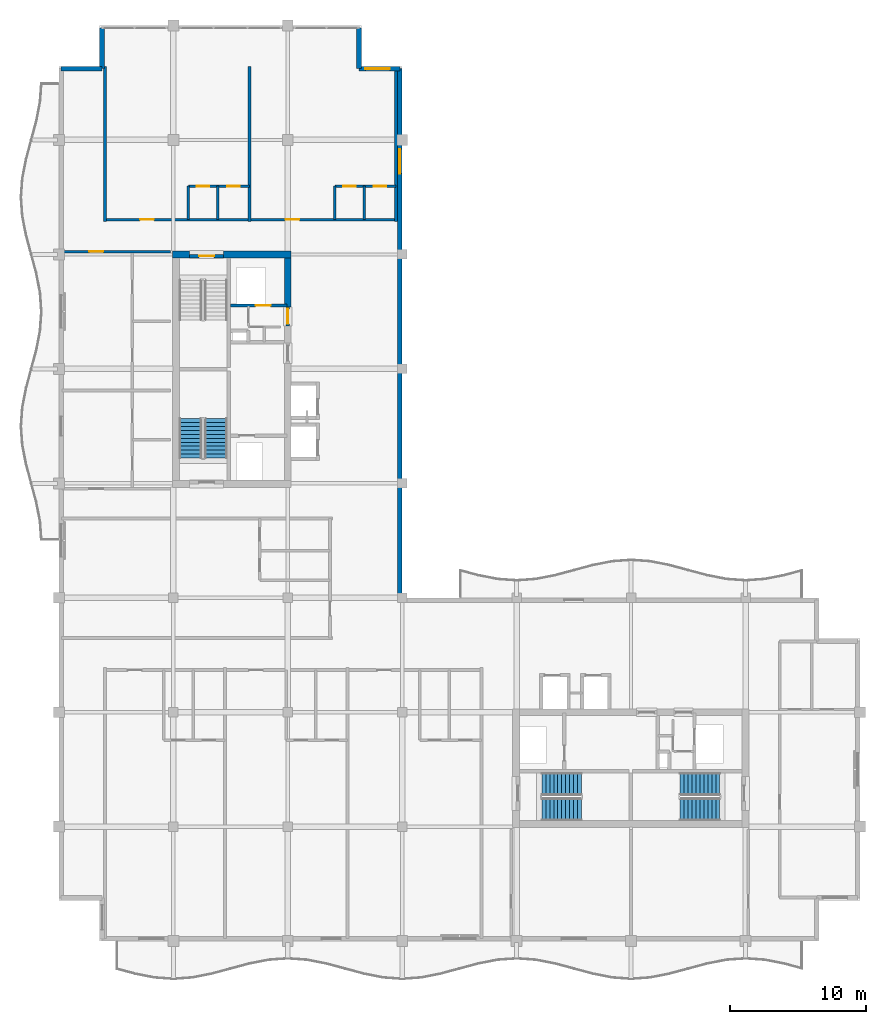
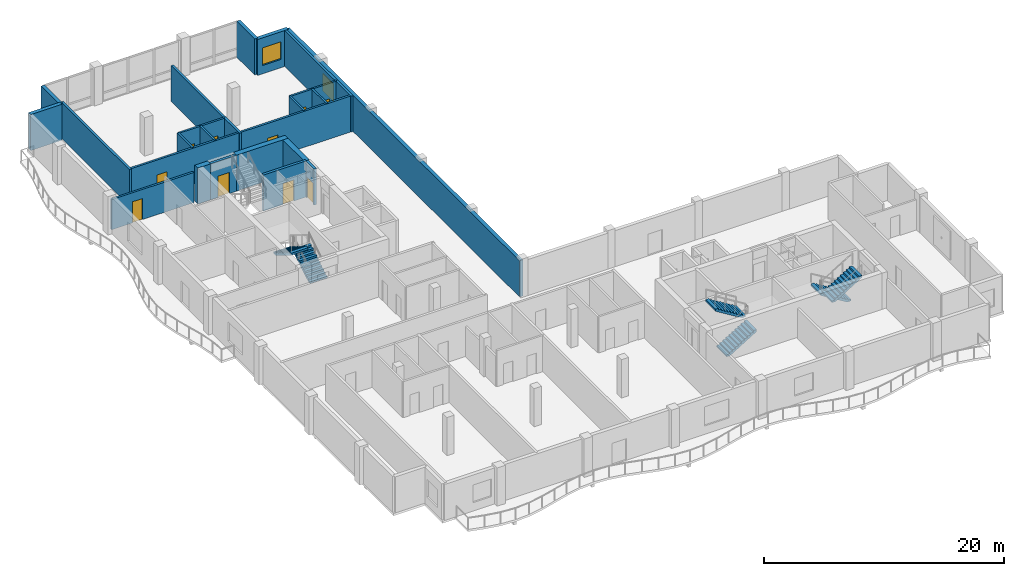
# One storey, part 9 of 15: 22 walls, 10 doors, 6 stair flights, 2 windows, 12 openings, 3 elements without a shape of their own.
"""IFC4 building model written with IfcOpenShell, lengths in metres."""

from ifc_helpers import new_model, si_unit, direction, frame, frame_2d, origin, place, context, subcontext, project, spatial, polyline, rectangle, outline, extrude, material, layer, layer_set, type_object, element, fill, aggregate, save


model = new_model("IFC4")

# Units and contexts
model_context = context("Model", 3, precision=1e-05, world=origin(), true_north=direction((0.0, 1.0)))
body_context = subcontext(model_context, "Body", "Model", "MODEL_VIEW")
ifc_project = project(units=[si_unit("LENGTHUNIT", "METRE"), si_unit("AREAUNIT", "SQUARE_METRE"), si_unit("VOLUMEUNIT", "CUBIC_METRE"), si_unit("PLANEANGLEUNIT", "RADIAN"), si_unit("MASSUNIT", "GRAM", prefix="KILO")], contexts=[model_context])

# Site, building, storey
site_placement = place(None, origin())
site = spatial("IfcSite", under=ifc_project, at=site_placement, CompositionType="ELEMENT")
building_placement = place(site_placement, origin())
building = spatial("IfcBuilding", under=site, at=building_placement, Name="Koriwani Terraces Tower", CompositionType="ELEMENT")
storey_placement = place(building_placement, frame((0.0, 0.0, 300.800048828125)))
storey = spatial("IfcBuildingStorey", under=building, at=storey_placement, Name="L74", CompositionType="ELEMENT", Elevation=300.800048828125)

# Walls
ifc_material_1 = material(Name="Concrete C50/60", Category="concrete")
ifc_layer_1 = layer(ifc_material_1, 0.5, Name="Concrete C50/60")
ifc_layer_set_1 = layer_set([ifc_layer_1], Name="Concrete C50/60")
wall_type_1 = type_object("IfcWallType", Name="WALL_CORE_RC_500", PredefinedType="SHEAR", material=ifc_layer_set_1)
wall_1_placement = place(storey_placement, frame((16.75, 58.800048828125, 0.0), z_axis=(0.0, 0.0, 1.0), x_axis=(1.0, 0.0, 0.0)))
element("IfcWall", 1, at=wall_1_placement, inside=storey, type_object=wall_type_1, Name="L74 West Split Core Shear Wall N1", PredefinedType="SHEAR", context=body_context, shape_type="SweptSolid", body=[
    extrude(rectangle(XDim=1.25, YDim=0.5, at=frame_2d((0.625, 0.0))), origin(), (0.0, 0.0, 1.0), 3.669921875),
])
wall_2_placement = place(storey_placement, frame((20.5, 58.800048828125, 0.0), z_axis=(0.0, 0.0, 1.0), x_axis=(1.0, 0.0, 0.0)))
element("IfcWall", 2, at=wall_2_placement, inside=storey, type_object=wall_type_1, Name="L74 West Split Core Shear Wall N2", PredefinedType="SHEAR", context=body_context, shape_type="SweptSolid", body=[
    extrude(rectangle(XDim=4.949951171875, YDim=0.5, at=frame_2d((2.47509765625, 0.0))), origin(), (0.0, 0.0, 1.0), 3.669921875),
])
wall_3_placement = place(storey_placement, frame((25.199951171875, 54.949951171875, 0.0), z_axis=(0.0, 0.0, 1.0), x_axis=(0.0, 1.0, 0.0)))
element("IfcWall", 3, at=wall_3_placement, inside=storey, type_object=wall_type_1, Name="L74 West Split Core Shear Wall E3", PredefinedType="SHEAR", context=body_context, shape_type="SweptSolid", body=[
    extrude(rectangle(XDim=3.60009765625, YDim=0.5, at=frame_2d((1.800048828125, 0.0))), origin(), (0.0, 0.0, 1.0), 3.669921875),
])

# Wall, opening, door
ifc_material_2 = material(Name="Autoclaved Cellular Concrete Blockwork", Category="masonry")
ifc_layer_2 = layer(ifc_material_2, 0.199951171875, Name="Autoclaved Cellular Concrete Blockwork")
ifc_layer_set_2 = layer_set([ifc_layer_2], Name="Autoclaved Cellular Concrete Blockwork")
wall_type_2 = type_object("IfcWallType", Name="WALL_CORRIDOR_200", PredefinedType="PARTITIONING", material=ifc_layer_set_2)
wall_4_placement = place(storey_placement, frame((8.64990234375, 59.0, 0.0), z_axis=(0.0, 0.0, 1.0), x_axis=(1.0, 0.0, 0.0)))
wall_4 = element("IfcWall", 4, at=wall_4_placement, inside=storey, type_object=wall_type_2, Name="L74 Interior Wall WRZ4-WN-L74", PredefinedType="PARTITIONING", context=body_context, shape_type="SweptSolid", body=[
    extrude(rectangle(XDim=7.9501953125, YDim=0.199951171875, at=frame_2d((3.97509765625, 0.0))), origin(), (0.0, 0.0, 1.0), 3.070068359375),
])
opening_1_placement = place(wall_4_placement, frame((2.0, 0.0, 0.0)))
opening_1 = element("IfcOpeningElement", 5, at=opening_1_placement, cuts=wall_4, Name="Opening D-05", PredefinedType="OPENING", context=body_context, shape_type="SweptSolid", body=[
    extrude(rectangle(XDim=1.0, YDim=2.14990234375, at=frame_2d((0.5, 1.074951171875))), frame((0.0, 0.10986328125, 0.0), z_axis=(0.0, -1.0, 0.0), x_axis=(1.0, 0.0, 0.0)), (0.0, 0.0, 1.0), 0.219970703125),
])
ifc_material_3 = material(Name="Architectural Oak Fire Door", Category="wood")
door_type_1 = type_object("IfcDoorType", Name="DOOR_SUITE_ENTRY_1000X2150", OperationType="NOTDEFINED", PredefinedType="DOOR", material=ifc_material_3)
door_1_placement = place(opening_1_placement, origin())
door_1 = element("IfcDoor", 6, at=door_1_placement, inside=storey, type_object=door_type_1, Name="Apartment 74RW2 Entrance Door", OperationType="SINGLE_SWING_LEFT", OverallHeight=2.14990234375, OverallWidth=1.0, PredefinedType="DOOR", context=body_context, shape_type="SweptSolid", body=[
    extrude(rectangle(XDim=1.0, YDim=2.14990234375, at=frame_2d((0.5, 1.074951171875))), frame((0.0, 0.02490234375, 0.0), z_axis=(0.0, -1.0, 0.0), x_axis=(1.0, 0.0, 0.0)), (0.0, 0.0, 1.0), 0.050048828125),
])
fill(opening_1, door_1)

# Wall, openings, doors
wall_5_placement = place(storey_placement, frame((11.800048828125, 61.35009765625, 0.0), z_axis=(0.0, 0.0, 1.0), x_axis=(1.0, 0.0, 0.0)))
wall_5 = element("IfcWall", 7, at=wall_5_placement, inside=storey, type_object=wall_type_2, Name="L74 Interior Wall WRCOR-L74-NTS-0", PredefinedType="PARTITIONING", context=body_context, shape_type="SweptSolid", body=[
    extrude(rectangle(XDim=21.349853515625, YDim=0.199951171875, at=frame_2d((10.6748046875, 0.0))), origin(), (0.0, 0.0, 1.0), 3.669921875),
])
opening_2_placement = place(wall_5_placement, frame((2.570068359375, 0.0, 0.0)))
opening_2 = element("IfcOpeningElement", 8, at=opening_2_placement, cuts=wall_5, Name="Opening D-05", PredefinedType="OPENING", context=body_context, shape_type="SweptSolid", body=[
    extrude(rectangle(XDim=1.0, YDim=2.14990234375, at=frame_2d((0.5, 1.074951171875))), frame((0.0, 0.10986328125, 0.0), z_axis=(0.0, -1.0, 0.0), x_axis=(1.0, 0.0, 0.0)), (0.0, 0.0, 1.0), 0.219970703125),
])
opening_3_placement = place(wall_5_placement, frame((13.2451171875, 0.0, 0.0)))
opening_3 = element("IfcOpeningElement", 9, at=opening_3_placement, cuts=wall_5, Name="Opening D-05", PredefinedType="OPENING", context=body_context, shape_type="SweptSolid", body=[
    extrude(rectangle(XDim=1.0, YDim=2.14990234375, at=frame_2d((0.5, 1.074951171875))), frame((0.0, 0.10986328125, 0.0), z_axis=(0.0, -1.0, 0.0), x_axis=(1.0, 0.0, 0.0)), (0.0, 0.0, 1.0), 0.219970703125),
])
door_2_placement = place(opening_2_placement, origin())
door_2 = element("IfcDoor", 10, at=door_2_placement, inside=storey, type_object=door_type_1, Name="Apartment 74NTS1 Entrance Door", OperationType="SINGLE_SWING_RIGHT", OverallHeight=2.14990234375, OverallWidth=1.0, PredefinedType="DOOR", context=body_context, shape_type="SweptSolid", body=[
    extrude(rectangle(XDim=1.0, YDim=2.14990234375, at=frame_2d((0.5, 1.074951171875))), frame((0.0, 0.02490234375, 0.0), z_axis=(0.0, -1.0, 0.0), x_axis=(1.0, 0.0, 0.0)), (0.0, 0.0, 1.0), 0.050048828125),
])
fill(opening_2, door_2)
door_3_placement = place(opening_3_placement, origin())
door_3 = element("IfcDoor", 11, at=door_3_placement, inside=storey, type_object=door_type_1, Name="Apartment 74NTS2 Entrance Door", OperationType="SINGLE_SWING_LEFT", OverallHeight=2.14990234375, OverallWidth=1.0, PredefinedType="DOOR", context=body_context, shape_type="SweptSolid", body=[
    extrude(rectangle(XDim=1.0, YDim=2.14990234375, at=frame_2d((0.5, 1.074951171875))), frame((0.0, 0.02490234375, 0.0), z_axis=(0.0, -1.0, 0.0), x_axis=(1.0, 0.0, 0.0)), (0.0, 0.0, 1.0), 0.050048828125),
])
fill(opening_3, door_3)

# Walls
ifc_layer_3 = layer(ifc_material_2, 0.219970703125, Name="Autoclaved Cellular Concrete Blockwork")
ifc_layer_set_3 = layer_set([ifc_layer_3], Name="Autoclaved Cellular Concrete Blockwork")
wall_type_3 = type_object("IfcWallType", Name="WALL_DEMISING_220", PredefinedType="PARTITIONING", material=ifc_layer_set_3)
for number, where, z_axis, x_axis, name in (
    (12, (11.800048828125, 61.199951171875, 0.0), (0.0, 0.0, 1.0), (0.0, 1.0, 0.0), "L74 Interior Wall WRDEM-L74-NTS-0"),
    (13, (22.39990234375, 61.199951171875, 0.0), (0.0, 0.0, 1.0), (0.0, 1.0, 0.0), "L74 Interior Wall WRDEM-L74-NTS-1"),
    (14, (33.14990234375, 61.199951171875, 0.0), (0.0, 0.0, 1.0), (0.0, 1.0, 0.0), "L74 Interior Wall WRDEME-L74-NTS"),
):
    element("IfcWall", number, at=place(storey_placement, frame(where, z_axis=z_axis, x_axis=x_axis)), inside=storey, type_object=wall_type_3, Name=name, PredefinedType="PARTITIONING", context=body_context, shape_type="SweptSolid", body=[
        extrude(rectangle(XDim=11.380126953125, YDim=0.219970703125, at=frame_2d((5.68994140625, 0.0))), origin(), (0.0, 0.0, 1.0), 3.669921875),
    ])
ifc_layer_4 = layer(ifc_material_1, 0.35009765625, Name="Concrete C50/60")
ifc_layer_set_4 = layer_set([ifc_layer_4], Name="Concrete C50/60")
wall_type_4 = type_object("IfcWallType", Name="WALL_EXT_BRUTALIST_350", PredefinedType="STANDARD", material=ifc_layer_set_4)
for number, where, z_axis, x_axis, name in (
    (15, (8.574951171875, 72.425048828125, 0.0), (0.0, 0.0, 1.0), (1.0, 0.0, 0.0), "L74 Fair-Faced Brutalist Exterior Wall (N3)"),
    (16, (11.574951171875, 72.425048828125, 0.0), (0.0, 0.0, 1.0), (0.0, 1.0, 0.0), "L74 Fair-Faced Brutalist Exterior Wall (N4)"),
    (17, (30.425048828125, 75.425048828125, 0.0), (0.0, 0.0, 1.0), (0.0, -1.0, 0.0), "L74 Fair-Faced Brutalist Exterior Wall (N6)"),
):
    element("IfcWall", number, at=place(storey_placement, frame(where, z_axis=z_axis, x_axis=x_axis)), inside=storey, type_object=wall_type_4, Name=name, PredefinedType="STANDARD", context=body_context, shape_type="SweptSolid", body=[
        extrude(rectangle(XDim=3.0, YDim=0.35009765625, at=frame_2d((1.5, 0.0))), origin(), (0.0, 0.0, 1.0), 3.669921875),
    ])

# Wall, opening, window
wall_6_placement = place(storey_placement, frame((30.425048828125, 72.425048828125, 0.0), z_axis=(0.0, 0.0, 1.0), x_axis=(1.0, 0.0, 0.0)))
wall_6 = element("IfcWall", 18, at=wall_6_placement, inside=storey, type_object=wall_type_4, Name="L74 Fair-Faced Brutalist Exterior Wall (N7)", PredefinedType="STANDARD", context=body_context, shape_type="SweptSolid", body=[
    extrude(rectangle(XDim=3.0, YDim=0.35009765625, at=frame_2d((1.5, 0.0))), origin(), (0.0, 0.0, 1.0), 3.669921875),
])
opening_4_placement = place(wall_6_placement, frame((0.472412109375, 0.0, 0.85009765625)))
opening_4 = element("IfcOpeningElement", 19, at=opening_4_placement, cuts=wall_6, Name="Opening W-04", PredefinedType="OPENING", context=body_context, shape_type="SweptSolid", body=[
    extrude(rectangle(XDim=1.800048828125, YDim=1.800048828125, at=frame_2d((0.89990234375, 0.89990234375))), frame((0.0, 0.18505859375, 0.0), z_axis=(0.0, -1.0, 0.0), x_axis=(1.0, 0.0, 0.0)), (0.0, 0.0, 1.0), 0.3701171875),
])
ifc_material_4 = material(Name="Tempered Laminated Low-E Glass", Category="glass")
window_type = type_object("IfcWindowType", Name="WIN_RES_BED_1800X1800", PartitioningType="DOUBLE_PANEL_VERTICAL", PredefinedType="WINDOW", material=ifc_material_4)
window_1_placement = place(opening_4_placement, origin())
window_1 = element("IfcWindow", 20, at=window_1_placement, inside=storey, type_object=window_type, Name="L74 Exterior Window (N7-R47)", OverallHeight=1.800048828125, OverallWidth=1.800048828125, PartitioningType="SINGLE_PANEL", PredefinedType="WINDOW", context=body_context, shape_type="SweptSolid", body=[
    extrude(rectangle(XDim=1.800048828125, YDim=1.800048828125, at=frame_2d((0.89990234375, 0.89990234375))), frame((0.0, 0.030029296875, 0.0), z_axis=(0.0, -1.0, 0.0), x_axis=(1.0, 0.0, 0.0)), (0.0, 0.0, 1.0), 0.06005859375),
])
fill(opening_4, window_1)

wall_7_placement = place(storey_placement, frame((33.425048828125, 72.425048828125, 0.0), z_axis=(0.0, 0.0, 1.0), x_axis=(0.0, -1.0, 0.0)))
wall_7 = element("IfcWall", 21, at=wall_7_placement, inside=storey, type_object=wall_type_4, Name="L74 Fair-Faced Brutalist Exterior Wall (NW_IN)", PredefinedType="STANDARD", context=body_context, shape_type="SweptSolid", body=[
    extrude(rectangle(XDim=39.0, YDim=0.35009765625, at=frame_2d((19.5, 0.0))), origin(), (0.0, 0.0, 1.0), 3.669921875),
])
opening_5_placement = place(wall_7_placement, frame((5.89990234375, 0.0, 0.85009765625)))
opening_5 = element("IfcOpeningElement", 22, at=opening_5_placement, cuts=wall_7, Name="Opening W-04", PredefinedType="OPENING", context=body_context, shape_type="SweptSolid", body=[
    extrude(rectangle(XDim=1.800048828125, YDim=1.800048828125, at=frame_2d((0.89990234375, 0.89990234375))), frame((0.0, 0.18505859375, 0.0), z_axis=(0.0, -1.0, 0.0), x_axis=(1.0, 0.0, 0.0)), (0.0, 0.0, 1.0), 0.3701171875),
])
window_2_placement = place(opening_5_placement, origin())
window_2 = element("IfcWindow", 23, at=window_2_placement, inside=storey, type_object=window_type, Name="L74 Exterior Window (NW_IN-R47)", OverallHeight=1.800048828125, OverallWidth=1.800048828125, PartitioningType="SINGLE_PANEL", PredefinedType="WINDOW", context=body_context, shape_type="SweptSolid", body=[
    extrude(rectangle(XDim=1.800048828125, YDim=1.800048828125, at=frame_2d((0.89990234375, 0.89990234375))), frame((0.0, 0.030029296875, 0.0), z_axis=(0.0, -1.0, 0.0), x_axis=(1.0, 0.0, 0.0)), (0.0, 0.0, 1.0), 0.06005859375),
])
fill(opening_5, window_2)

# Wall, openings, doors
ifc_material_5 = material(Name="Fire-Rated Acoustic Gypsum Partition", Category="masonry")
ifc_layer_5 = layer(ifc_material_5, 0.179931640625, Name="Fire-Rated Acoustic Gypsum Partition")
ifc_layer_set_5 = layer_set([ifc_layer_5], Name="Fire-Rated Acoustic Gypsum Partition")
wall_type_5 = type_object("IfcWallType", Name="WALL_PLUMBING_180", PredefinedType="PLUMBINGWALL", material=ifc_layer_set_5)
wall_8_placement = place(storey_placement, frame((17.89990234375, 63.800048828125, 0.0), z_axis=(0.0, 0.0, 1.0), x_axis=(1.0, 0.0, 0.0)))
wall_8 = element("IfcWall", 24, at=wall_8_placement, inside=storey, type_object=wall_type_5, Name="L74 Interior Wall WRSVC-L74-NTS-0", PredefinedType="PLUMBINGWALL", context=body_context, shape_type="SweptSolid", body=[
    extrude(rectangle(XDim=4.5, YDim=0.179931640625, at=frame_2d((2.25, 0.0))), origin(), (0.0, 0.0, 1.0), 3.669921875),
])
opening_6_placement = place(wall_8_placement, frame((0.6298828125, 0.0, 0.0)))
opening_6 = element("IfcOpeningElement", 25, at=opening_6_placement, cuts=wall_8, Name="Opening D-07", PredefinedType="OPENING", context=body_context, shape_type="SweptSolid", body=[
    extrude(rectangle(XDim=0.89990234375, YDim=2.10009765625, at=frame_2d((0.449951171875, 1.050048828125))), frame((0.0, 0.10009765625, 0.0), z_axis=(0.0, -1.0, 0.0), x_axis=(1.0, 0.0, 0.0)), (0.0, 0.0, 1.0), 0.199951171875),
])
opening_7_placement = place(wall_8_placement, frame((2.8701171875, 0.0, 0.0)))
opening_7 = element("IfcOpeningElement", 26, at=opening_7_placement, cuts=wall_8, Name="Opening D-06", PredefinedType="OPENING", context=body_context, shape_type="SweptSolid", body=[
    extrude(rectangle(XDim=0.919921875, YDim=2.10009765625, at=frame_2d((0.4599609375, 1.050048828125))), frame((0.0, 0.10009765625, 0.0), z_axis=(0.0, -1.0, 0.0), x_axis=(1.0, 0.0, 0.0)), (0.0, 0.0, 1.0), 0.199951171875),
])
door_type_2 = type_object("IfcDoorType", Name="DOOR_BATH_INT_900X2100", OperationType="NOTDEFINED", PredefinedType="DOOR", material=ifc_material_3)
door_4_placement = place(opening_6_placement, origin())
door_4 = element("IfcDoor", 27, at=door_4_placement, inside=storey, type_object=door_type_2, Name="Apartment 74NTS1 Bathroom Door", OperationType="SINGLE_SWING_LEFT", OverallHeight=2.10009765625, OverallWidth=0.89990234375, PredefinedType="DOOR", context=body_context, shape_type="SweptSolid", body=[
    extrude(rectangle(XDim=0.89990234375, YDim=2.10009765625, at=frame_2d((0.449951171875, 1.050048828125))), frame((0.0, 0.02490234375, 0.0), z_axis=(0.0, -1.0, 0.0), x_axis=(1.0, 0.0, 0.0)), (0.0, 0.0, 1.0), 0.050048828125),
])
fill(opening_6, door_4)
door_type_3 = type_object("IfcDoorType", Name="DOOR_ROOM_INT_920X2100", OperationType="NOTDEFINED", PredefinedType="DOOR", material=ifc_material_3)
door_5_placement = place(opening_7_placement, origin())
door_5 = element("IfcDoor", 28, at=door_5_placement, inside=storey, type_object=door_type_3, Name="Apartment 74NTS1 Kitchen Door", OperationType="SINGLE_SWING_RIGHT", OverallHeight=2.10009765625, OverallWidth=0.919921875, PredefinedType="DOOR", context=body_context, shape_type="SweptSolid", body=[
    extrude(rectangle(XDim=0.919921875, YDim=2.10009765625, at=frame_2d((0.4599609375, 1.050048828125))), frame((0.0, 0.02490234375, 0.0), z_axis=(0.0, -1.0, 0.0), x_axis=(1.0, 0.0, 0.0)), (0.0, 0.0, 1.0), 0.050048828125),
])
fill(opening_7, door_5)

# Walls
for number, where, z_axis, x_axis, name in (
    (29, (17.89990234375, 61.35009765625, 0.0), (0.0, 0.0, 1.0), (0.0, 1.0, 0.0), "L74 Interior Wall WRSVCS-L74-NTS-0"),
    (30, (20.06005859375, 61.35009765625, 0.0), (0.0, 0.0, 1.0), (0.0, 1.0, 0.0), "L74 Interior Wall WRSVCM-L74-NTS-0"),
):
    element("IfcWall", number, at=place(storey_placement, frame(where, z_axis=z_axis, x_axis=x_axis)), inside=storey, type_object=wall_type_5, Name=name, PredefinedType="PLUMBINGWALL", context=body_context, shape_type="SweptSolid", body=[
        extrude(rectangle(XDim=2.449951171875, YDim=0.179931640625, at=frame_2d((1.22509765625, 0.0))), origin(), (0.0, 0.0, 1.0), 3.669921875),
    ])

# Wall, openings, doors
wall_9_placement = place(storey_placement, frame((28.64990234375, 63.800048828125, 0.0), z_axis=(0.0, 0.0, 1.0), x_axis=(1.0, 0.0, 0.0)))
wall_9 = element("IfcWall", 31, at=wall_9_placement, inside=storey, type_object=wall_type_5, Name="L74 Interior Wall WRSVC-L74-NTS-1", PredefinedType="PLUMBINGWALL", context=body_context, shape_type="SweptSolid", body=[
    extrude(rectangle(XDim=4.5, YDim=0.179931640625, at=frame_2d((2.25, 0.0))), origin(), (0.0, 0.0, 1.0), 3.669921875),
])
opening_8_placement = place(wall_9_placement, frame((0.6298828125, 0.0, 0.0)))
opening_8 = element("IfcOpeningElement", 32, at=opening_8_placement, cuts=wall_9, Name="Opening D-07", PredefinedType="OPENING", context=body_context, shape_type="SweptSolid", body=[
    extrude(rectangle(XDim=0.89990234375, YDim=2.10009765625, at=frame_2d((0.449951171875, 1.050048828125))), frame((0.0, 0.10009765625, 0.0), z_axis=(0.0, -1.0, 0.0), x_axis=(1.0, 0.0, 0.0)), (0.0, 0.0, 1.0), 0.199951171875),
])
opening_9_placement = place(wall_9_placement, frame((2.8701171875, 0.0, 0.0)))
opening_9 = element("IfcOpeningElement", 33, at=opening_9_placement, cuts=wall_9, Name="Opening D-06", PredefinedType="OPENING", context=body_context, shape_type="SweptSolid", body=[
    extrude(rectangle(XDim=0.919921875, YDim=2.10009765625, at=frame_2d((0.4599609375, 1.050048828125))), frame((0.0, 0.10009765625, 0.0), z_axis=(0.0, -1.0, 0.0), x_axis=(1.0, 0.0, 0.0)), (0.0, 0.0, 1.0), 0.199951171875),
])
door_6_placement = place(opening_8_placement, origin())
door_6 = element("IfcDoor", 34, at=door_6_placement, inside=storey, type_object=door_type_2, Name="Apartment 74NTS2 Bathroom Door", OperationType="SINGLE_SWING_RIGHT", OverallHeight=2.10009765625, OverallWidth=0.89990234375, PredefinedType="DOOR", context=body_context, shape_type="SweptSolid", body=[
    extrude(rectangle(XDim=0.89990234375, YDim=2.10009765625, at=frame_2d((0.449951171875, 1.050048828125))), frame((0.0, 0.02490234375, 0.0), z_axis=(0.0, -1.0, 0.0), x_axis=(1.0, 0.0, 0.0)), (0.0, 0.0, 1.0), 0.050048828125),
])
fill(opening_8, door_6)
door_7_placement = place(opening_9_placement, origin())
door_7 = element("IfcDoor", 35, at=door_7_placement, inside=storey, type_object=door_type_3, Name="Apartment 74NTS2 Kitchen Door", OperationType="SINGLE_SWING_LEFT", OverallHeight=2.10009765625, OverallWidth=0.919921875, PredefinedType="DOOR", context=body_context, shape_type="SweptSolid", body=[
    extrude(rectangle(XDim=0.919921875, YDim=2.10009765625, at=frame_2d((0.4599609375, 1.050048828125))), frame((0.0, 0.02490234375, 0.0), z_axis=(0.0, -1.0, 0.0), x_axis=(1.0, 0.0, 0.0)), (0.0, 0.0, 1.0), 0.050048828125),
])
fill(opening_9, door_7)

# Walls
for number, where, z_axis, x_axis, name in (
    (36, (28.64990234375, 61.35009765625, 0.0), (0.0, 0.0, 1.0), (0.0, 1.0, 0.0), "L74 Interior Wall WRSVCS-L74-NTS-1"),
    (37, (30.81005859375, 61.35009765625, 0.0), (0.0, 0.0, 1.0), (0.0, 1.0, 0.0), "L74 Interior Wall WRSVCM-L74-NTS-1"),
):
    element("IfcWall", number, at=place(storey_placement, frame(where, z_axis=z_axis, x_axis=x_axis)), inside=storey, type_object=wall_type_5, Name=name, PredefinedType="PLUMBINGWALL", context=body_context, shape_type="SweptSolid", body=[
        extrude(rectangle(XDim=2.449951171875, YDim=0.179931640625, at=frame_2d((1.22509765625, 0.0))), origin(), (0.0, 0.0, 1.0), 3.669921875),
    ])

# Wall, opening, door
ifc_material_6 = material(Name="Concrete C40/50", Category="concrete")
ifc_layer_6 = layer(ifc_material_6, 0.25, Name="Concrete C40/50")
ifc_layer_set_6 = layer_set([ifc_layer_6], Name="Concrete C40/50")
wall_type_6 = type_object("IfcWallType", Name="WALL_SHAFT_RATED_250", PredefinedType="SOLIDWALL", material=ifc_layer_set_6)
wall_10_placement = place(storey_placement, frame((18.0, 58.675048828125, 0.0), z_axis=(0.0, 0.0, 1.0), x_axis=(1.0, 0.0, 0.0)))
wall_10 = element("IfcWall", 38, at=wall_10_placement, inside=storey, type_object=wall_type_6, Name="L74 Interior Wall WIN-CW-L74-STN", PredefinedType="SOLIDWALL", context=body_context, shape_type="SweptSolid", body=[
    extrude(rectangle(XDim=2.5, YDim=0.25, at=frame_2d((1.25, 0.0))), origin(), (0.0, 0.0, 1.0), 3.669921875),
])
opening_10_placement = place(wall_10_placement, frame((0.699951171875, 0.0, 0.0)))
opening_10 = element("IfcOpeningElement", 39, at=opening_10_placement, cuts=wall_10, Name="Opening D-03", PredefinedType="OPENING", context=body_context, shape_type="SweptSolid", body=[
    extrude(rectangle(XDim=1.10009765625, YDim=2.14990234375, at=frame_2d((0.550048828125, 1.074951171875))), frame((0.0, 0.135009765625, 0.0), z_axis=(0.0, -1.0, 0.0), x_axis=(1.0, 0.0, 0.0)), (0.0, 0.0, 1.0), 0.27001953125),
])
ifc_material_7 = material(Name="Steel ASTM A572 Grade 50", Category="steel")
door_type_4 = type_object("IfcDoorType", Name="DOOR_STAIR_FIRE_1100X2150", OperationType="NOTDEFINED", PredefinedType="DOOR", material=ifc_material_7)
door_8_placement = place(opening_10_placement, origin())
door_8 = element("IfcDoor", 40, at=door_8_placement, inside=storey, type_object=door_type_4, Name="L74 Exit Stair ST-W2 Door", OperationType="SINGLE_SWING_LEFT", OverallHeight=2.14990234375, OverallWidth=1.10009765625, PredefinedType="DOOR", context=body_context, shape_type="SweptSolid", body=[
    extrude(rectangle(XDim=1.10009765625, YDim=2.14990234375, at=frame_2d((0.550048828125, 1.074951171875))), frame((0.0, 0.02490234375, 0.0), z_axis=(0.0, -1.0, 0.0), x_axis=(1.0, 0.0, 0.0)), (0.0, 0.0, 1.0), 0.050048828125),
])
fill(opening_10, door_8)

wall_11_placement = place(storey_placement, frame((21.0, 55.050048828125, 0.0), z_axis=(0.0, 0.0, 1.0), x_axis=(1.0, 0.0, 0.0)))
wall_11 = element("IfcWall", 41, at=wall_11_placement, inside=storey, type_object=wall_type_6, Name="L74 Interior Wall WIN-CW-L74-SE", PredefinedType="SOLIDWALL", context=body_context, shape_type="SweptSolid", body=[
    extrude(rectangle(XDim=4.14990234375, YDim=0.25, at=frame_2d((2.074951171875, 0.0))), origin(), (0.0, 0.0, 1.0), 3.669921875),
])
opening_11_placement = place(wall_11_placement, frame((1.85009765625, 0.0, 0.0)))
opening_11 = element("IfcOpeningElement", 42, at=opening_11_placement, cuts=wall_11, Name="Opening LD-01", PredefinedType="OPENING", context=body_context, shape_type="SweptSolid", body=[
    extrude(rectangle(XDim=1.10009765625, YDim=2.14990234375, at=frame_2d((0.550048828125, 1.074951171875))), frame((0.0, 0.135009765625, 0.0), z_axis=(0.0, -1.0, 0.0), x_axis=(1.0, 0.0, 0.0)), (0.0, 0.0, 1.0), 0.27001953125),
])
door_type_5 = type_object("IfcDoorType", Name="DOOR_LIFT_LANDING_1100X2200", OperationType="NOTDEFINED", PredefinedType="DOOR", material=ifc_material_7)
door_9_placement = place(opening_11_placement, origin())
door_9 = element("IfcDoor", 43, at=door_9_placement, inside=storey, type_object=door_type_5, Name="L74 Goods Lift SE-01 Landing Door", OperationType="SLIDING_TO_LEFT", OverallHeight=2.14990234375, OverallWidth=1.10009765625, PredefinedType="DOOR", context=body_context, shape_type="SweptSolid", body=[
    extrude(rectangle(XDim=1.10009765625, YDim=2.14990234375, at=frame_2d((0.550048828125, 1.074951171875))), frame((0.0, 0.02490234375, 0.0), z_axis=(0.0, -1.0, 0.0), x_axis=(1.0, 0.0, 0.0)), (0.0, 0.0, 1.0), 0.050048828125),
])
fill(opening_11, door_9)

wall_12_placement = place(storey_placement, frame((25.199951171875, 53.550048828125, 0.0), z_axis=(0.0, 0.0, 1.0), x_axis=(0.0, 1.0, 0.0)))
wall_12 = element("IfcWall", 44, at=wall_12_placement, inside=storey, type_object=wall_type_6, Name="L74 Interior Wall WIN-CW-L74-EP2", PredefinedType="SOLIDWALL", context=body_context, shape_type="SweptSolid", body=[
    extrude(rectangle(XDim=1.39990234375, YDim=0.25, at=frame_2d((0.699951171875, 0.0))), origin(), (0.0, 0.0, 1.0), 3.669921875),
])
opening_12_placement = place(wall_12_placement, frame((0.14990234375, 0.0, 0.0)))
opening_12 = element("IfcOpeningElement", 45, at=opening_12_placement, cuts=wall_12, Name="Opening D-03", PredefinedType="OPENING", context=body_context, shape_type="SweptSolid", body=[
    extrude(rectangle(XDim=1.10009765625, YDim=2.14990234375, at=frame_2d((0.550048828125, 1.074951171875))), frame((0.0, 0.135009765625, 0.0), z_axis=(0.0, -1.0, 0.0), x_axis=(1.0, 0.0, 0.0)), (0.0, 0.0, 1.0), 0.27001953125),
])
door_10_placement = place(opening_12_placement, origin())
door_10 = element("IfcDoor", 46, at=door_10_placement, inside=storey, type_object=door_type_4, Name="L74 West Goods Lift Lobby Door", OperationType="SINGLE_SWING_LEFT", OverallHeight=2.14990234375, OverallWidth=1.10009765625, PredefinedType="DOOR", context=body_context, shape_type="SweptSolid", body=[
    extrude(rectangle(XDim=1.10009765625, YDim=2.14990234375, at=frame_2d((0.550048828125, 1.074951171875))), frame((0.0, 0.02490234375, 0.0), z_axis=(0.0, -1.0, 0.0), x_axis=(1.0, 0.0, 0.0)), (0.0, 0.0, 1.0), 0.050048828125),
])
fill(opening_12, door_10)

# Stair, stair flights
stair_type = type_object("IfcStairType", Name="STAIR_CORE_DOGLEG_1650", PredefinedType="TWO_STRAIGHT_RUN_STAIR", material=ifc_material_6)
stair_1_placement = place(storey_placement, origin())
stair_1 = element("IfcStair", 47, at=stair_1_placement, inside=storey, type_object=stair_type, Name="L74 West Core Exit Stair 1", PredefinedType="HALF_TURN_STAIR")
stair_flight_type = type_object("IfcStairFlightType", Name="STAIR_FLIGHT_RC_1650", PredefinedType="STRAIGHT", material=ifc_material_6)
stair_flight_1_placement = place(storey_placement, frame((19.925048828125, 43.85009765625, 0.0), z_axis=(0.0, 0.0, 1.0), x_axis=(0.0, 1.0, 0.0)))
stair_flight_1 = element("IfcStairFlight", 48, at=stair_flight_1_placement, type_object=stair_flight_type, Name="ST-W1 flight 1", NumberOfRisers=11, NumberOfTreads=10, PredefinedType="STRAIGHT", RiserHeight=0.177272727, TreadLength=0.29, context=body_context, shape_type="SweptSolid", body=[
    extrude(outline(polyline([(0.0, 0.0), (0.0, 0.17724609375), (0.2900390625, 0.17724609375), (0.2900390625, 0.3544921875), (0.580078125, 0.3544921875), (0.580078125, 0.53173828125), (0.8701171875, 0.53173828125), (0.8701171875, 0.708984375), (1.159912109375, 0.708984375), (1.159912109375, 0.886474609375), (1.449951171875, 0.886474609375), (1.449951171875, 1.063720703125), (1.739990234375, 1.063720703125), (1.739990234375, 1.240966796875), (2.030029296875, 1.240966796875), (2.030029296875, 1.418212890625), (2.320068359375, 1.418212890625), (2.320068359375, 1.595458984375), (2.610107421875, 1.595458984375), (2.610107421875, 1.772705078125), (2.89990234375, 1.772705078125), (2.89990234375, 1.949951171875), (2.89990234375, 1.561767578125), (0.344970703125, 0.0), (0.0, 0.0)])), frame((0.0, 0.824951171875, 0.0), z_axis=(0.0, -1.0, 0.0), x_axis=(1.0, 0.0, 0.0)), (0.0, 0.0, 1.0), 1.64990234375),
])
stair_flight_2_placement = place(storey_placement, frame((18.074951171875, 46.75, 1.949951171875), z_axis=(0.0, 0.0, 1.0), x_axis=(0.0, -1.0, 0.0)))
stair_flight_2 = element("IfcStairFlight", 49, at=stair_flight_2_placement, type_object=stair_flight_type, Name="ST-W1 flight 2", NumberOfRisers=11, NumberOfTreads=10, PredefinedType="STRAIGHT", RiserHeight=0.177272727, TreadLength=0.29, context=body_context, shape_type="SweptSolid", body=[
    extrude(outline(polyline([(0.0, 0.0), (0.0, 0.17724609375), (0.2900390625, 0.17724609375), (0.2900390625, 0.3544921875), (0.580078125, 0.3544921875), (0.580078125, 0.53173828125), (0.8701171875, 0.53173828125), (0.8701171875, 0.708984375), (1.159912109375, 0.708984375), (1.159912109375, 0.886474609375), (1.449951171875, 0.886474609375), (1.449951171875, 1.063720703125), (1.739990234375, 1.063720703125), (1.739990234375, 1.240966796875), (2.030029296875, 1.240966796875), (2.030029296875, 1.418212890625), (2.320068359375, 1.418212890625), (2.320068359375, 1.595458984375), (2.610107421875, 1.595458984375), (2.610107421875, 1.772705078125), (2.89990234375, 1.772705078125), (2.89990234375, 1.949951171875), (2.89990234375, 1.561767578125), (0.344970703125, 0.0), (0.0, 0.0)])), frame((0.0, 0.824951171875, 0.0), z_axis=(0.0, -1.0, 0.0), x_axis=(1.0, 0.0, 0.0)), (0.0, 0.0, 1.0), 1.64990234375),
])
aggregate(stair_1, [stair_flight_1, stair_flight_2])

stair_2_placement = place(storey_placement, origin())
stair_2 = element("IfcStair", 50, at=stair_2_placement, inside=storey, type_object=stair_type, Name="L74 East Core Exit Stair 1", PredefinedType="HALF_TURN_STAIR")
stair_flight_3_placement = place(storey_placement, frame((43.85009765625, 18.074951171875, 0.0), z_axis=(0.0, 0.0, 1.0), x_axis=(1.0, 0.0, 0.0)))
stair_flight_3 = element("IfcStairFlight", 51, at=stair_flight_3_placement, type_object=stair_flight_type, Name="ST-E1 flight 1", NumberOfRisers=11, NumberOfTreads=10, PredefinedType="STRAIGHT", RiserHeight=0.177272727, TreadLength=0.29, context=body_context, shape_type="SweptSolid", body=[
    extrude(outline(polyline([(0.0, 0.0), (0.0, 0.17724609375), (0.2900390625, 0.17724609375), (0.2900390625, 0.3544921875), (0.580078125, 0.3544921875), (0.580078125, 0.53173828125), (0.8701171875, 0.53173828125), (0.8701171875, 0.708984375), (1.159912109375, 0.708984375), (1.159912109375, 0.886474609375), (1.449951171875, 0.886474609375), (1.449951171875, 1.063720703125), (1.739990234375, 1.063720703125), (1.739990234375, 1.240966796875), (2.030029296875, 1.240966796875), (2.030029296875, 1.418212890625), (2.320068359375, 1.418212890625), (2.320068359375, 1.595458984375), (2.610107421875, 1.595458984375), (2.610107421875, 1.772705078125), (2.89990234375, 1.772705078125), (2.89990234375, 1.949951171875), (2.89990234375, 1.561767578125), (0.344970703125, 0.0), (0.0, 0.0)])), frame((0.0, 0.824951171875, 0.0), z_axis=(0.0, -1.0, 0.0), x_axis=(1.0, 0.0, 0.0)), (0.0, 0.0, 1.0), 1.64990234375),
])
stair_flight_4_placement = place(storey_placement, frame((46.75, 19.925048828125, 1.949951171875), z_axis=(0.0, 0.0, 1.0), x_axis=(-1.0, 0.0, 0.0)))
stair_flight_4 = element("IfcStairFlight", 52, at=stair_flight_4_placement, type_object=stair_flight_type, Name="ST-E1 flight 2", NumberOfRisers=11, NumberOfTreads=10, PredefinedType="STRAIGHT", RiserHeight=0.177272727, TreadLength=0.29, context=body_context, shape_type="SweptSolid", body=[
    extrude(outline(polyline([(0.0, 0.0), (0.0, 0.17724609375), (0.2900390625, 0.17724609375), (0.2900390625, 0.3544921875), (0.580078125, 0.3544921875), (0.580078125, 0.53173828125), (0.8701171875, 0.53173828125), (0.8701171875, 0.708984375), (1.159912109375, 0.708984375), (1.159912109375, 0.886474609375), (1.449951171875, 0.886474609375), (1.449951171875, 1.063720703125), (1.739990234375, 1.063720703125), (1.739990234375, 1.240966796875), (2.030029296875, 1.240966796875), (2.030029296875, 1.418212890625), (2.320068359375, 1.418212890625), (2.320068359375, 1.595458984375), (2.610107421875, 1.595458984375), (2.610107421875, 1.772705078125), (2.89990234375, 1.772705078125), (2.89990234375, 1.949951171875), (2.89990234375, 1.561767578125), (0.344970703125, 0.0), (0.0, 0.0)])), frame((0.0, 0.824951171875, 0.0), z_axis=(0.0, -1.0, 0.0), x_axis=(1.0, 0.0, 0.0)), (0.0, 0.0, 1.0), 1.64990234375),
])
aggregate(stair_2, [stair_flight_3, stair_flight_4])

stair_3_placement = place(storey_placement, origin())
stair_3 = element("IfcStair", 53, at=stair_3_placement, inside=storey, type_object=stair_type, Name="L74 East Core Exit Stair 2", PredefinedType="HALF_TURN_STAIR")
stair_flight_5_placement = place(storey_placement, frame((56.89990234375, 19.925048828125, 0.0), z_axis=(0.0, 0.0, 1.0), x_axis=(-1.0, 0.0, 0.0)))
stair_flight_5 = element("IfcStairFlight", 54, at=stair_flight_5_placement, type_object=stair_flight_type, Name="ST-E2 flight 1", NumberOfRisers=11, NumberOfTreads=10, PredefinedType="STRAIGHT", RiserHeight=0.177272727, TreadLength=0.29, context=body_context, shape_type="SweptSolid", body=[
    extrude(outline(polyline([(0.0, 0.0), (0.0, 0.17724609375), (0.2900390625, 0.17724609375), (0.2900390625, 0.3544921875), (0.580078125, 0.3544921875), (0.580078125, 0.53173828125), (0.8701171875, 0.53173828125), (0.8701171875, 0.708984375), (1.159912109375, 0.708984375), (1.159912109375, 0.886474609375), (1.449951171875, 0.886474609375), (1.449951171875, 1.063720703125), (1.739990234375, 1.063720703125), (1.739990234375, 1.240966796875), (2.030029296875, 1.240966796875), (2.030029296875, 1.418212890625), (2.320068359375, 1.418212890625), (2.320068359375, 1.595458984375), (2.610107421875, 1.595458984375), (2.610107421875, 1.772705078125), (2.89990234375, 1.772705078125), (2.89990234375, 1.949951171875), (2.89990234375, 1.561767578125), (0.344970703125, 0.0), (0.0, 0.0)])), frame((0.0, 0.824951171875, 0.0), z_axis=(0.0, -1.0, 0.0), x_axis=(1.0, 0.0, 0.0)), (0.0, 0.0, 1.0), 1.64990234375),
])
stair_flight_6_placement = place(storey_placement, frame((54.0, 18.074951171875, 1.949951171875), z_axis=(0.0, 0.0, 1.0), x_axis=(1.0, 0.0, 0.0)))
stair_flight_6 = element("IfcStairFlight", 55, at=stair_flight_6_placement, type_object=stair_flight_type, Name="ST-E2 flight 2", NumberOfRisers=11, NumberOfTreads=10, PredefinedType="STRAIGHT", RiserHeight=0.177272727, TreadLength=0.29, context=body_context, shape_type="SweptSolid", body=[
    extrude(outline(polyline([(0.0, 0.0), (0.0, 0.17724609375), (0.2900390625, 0.17724609375), (0.2900390625, 0.3544921875), (0.580078125, 0.3544921875), (0.580078125, 0.53173828125), (0.8701171875, 0.53173828125), (0.8701171875, 0.708984375), (1.159912109375, 0.708984375), (1.159912109375, 0.886474609375), (1.449951171875, 0.886474609375), (1.449951171875, 1.063720703125), (1.739990234375, 1.063720703125), (1.739990234375, 1.240966796875), (2.030029296875, 1.240966796875), (2.030029296875, 1.418212890625), (2.320068359375, 1.418212890625), (2.320068359375, 1.595458984375), (2.610107421875, 1.595458984375), (2.610107421875, 1.772705078125), (2.89990234375, 1.772705078125), (2.89990234375, 1.949951171875), (2.89990234375, 1.561767578125), (0.344970703125, 0.0), (0.0, 0.0)])), frame((0.0, 0.824951171875, 0.0), z_axis=(0.0, -1.0, 0.0), x_axis=(1.0, 0.0, 0.0)), (0.0, 0.0, 1.0), 1.64990234375),
])
aggregate(stair_3, [stair_flight_5, stair_flight_6])

save(model, "model.ifc")
